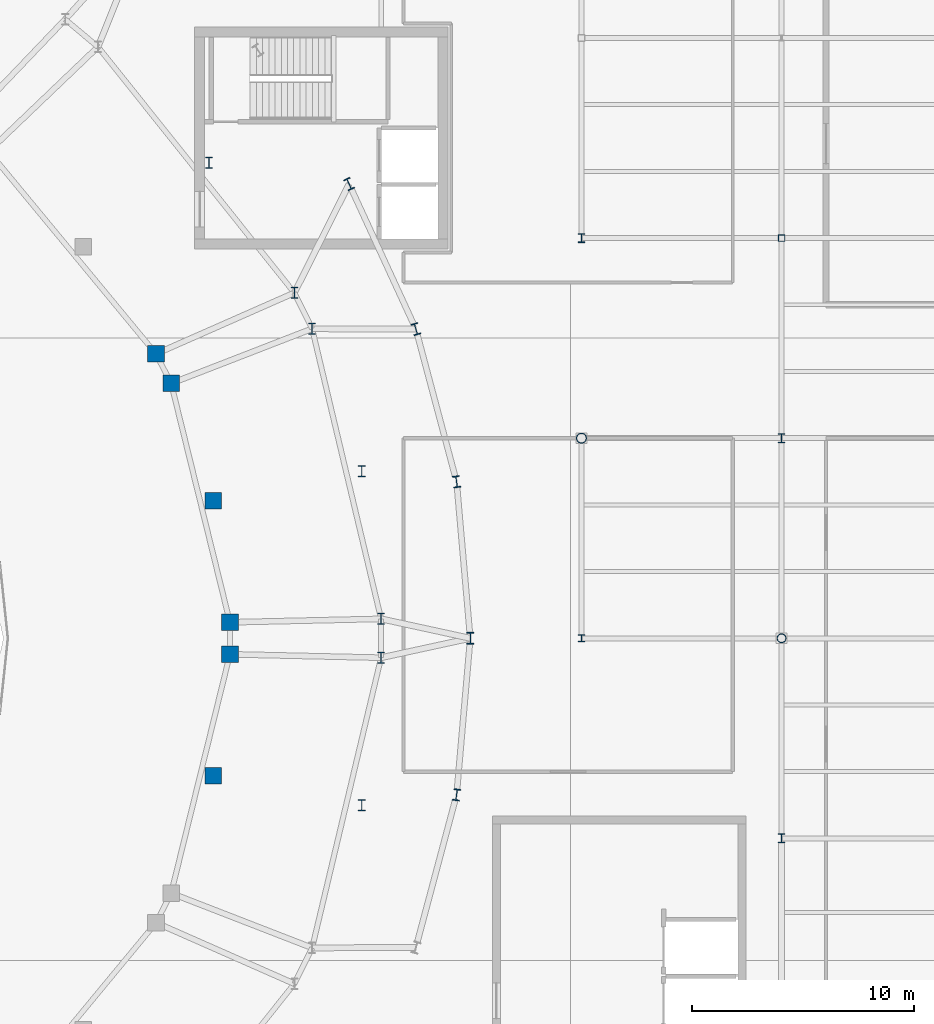
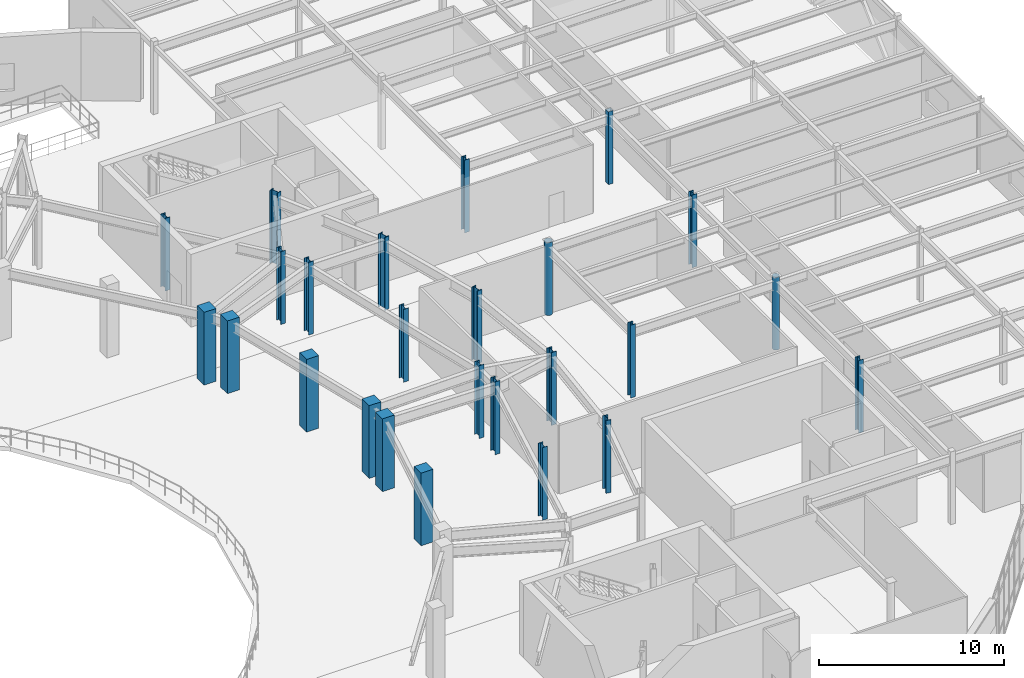
# One storey, part 19 of 86: 25 columns.
"""IFC4 building model written with IfcOpenShell, lengths in metres."""

from ifc_helpers import new_model, si_unit, direction, frame, origin, origin_2d, place, context, subcontext, project, spatial, rectangle, hollow_rectangle, hollow_circle, i_section, extrude, material, material_profile, profile_set, type_object, element, save


model = new_model("IFC4")

# Units and contexts
model_context = context("Model", 3, precision=1e-05, world=origin(), true_north=direction((0.0, 1.0)))
body_context = subcontext(model_context, "Body", "Model", "MODEL_VIEW")
ifc_project = project(units=[si_unit("LENGTHUNIT", "METRE"), si_unit("AREAUNIT", "SQUARE_METRE"), si_unit("VOLUMEUNIT", "CUBIC_METRE"), si_unit("PLANEANGLEUNIT", "RADIAN"), si_unit("MASSUNIT", "GRAM", prefix="KILO")], contexts=[model_context])

# Site, building, storey
site_placement = place(None, origin())
site = spatial("IfcSite", under=ifc_project, at=site_placement, CompositionType="ELEMENT")
building_placement = place(site_placement, origin())
building = spatial("IfcBuilding", under=site, at=building_placement, Name="Glasvene Arena", CompositionType="ELEMENT")
storey_placement = place(building_placement, frame((0.0, 0.0, 5.39990234375)))
storey = spatial("IfcBuildingStorey", under=building, at=storey_placement, Name="L01", CompositionType="ELEMENT", Elevation=5.39990234375)

# Columns
ifc_material_1 = material(Name="Concrete C40/50", Category="concrete")
ifc_material_profile_1 = material_profile(ifc_material_1, rectangle(XDim=0.75, YDim=0.75, at=origin_2d()), Name="RC 750x750")
ifc_profile_set_1 = profile_set([ifc_material_profile_1], Name="Concrete C40/50")
column_type_1 = type_object("IfcColumnType", Name="COL-MID-RC750", PredefinedType="COLUMN", material=ifc_profile_set_1)
for number, where, z_axis, x_axis, name in (
    (1, (131.18994140625, 73.71923828125, 0.0), (0.0, 0.0, 1.0), (1.0, 0.0, 0.0), "Mid-bowl fulcrum column L01 01-1"),
    (2, (128.547119140625, 84.46337890625, 0.0), (0.0, 0.0, 1.0), (1.0, 0.0, 0.0), "Mid-bowl fulcrum column L01 01-2"),
    (3, (127.866455078125, 85.79248046875, 0.0), (0.0, 0.0, 1.0), (1.0, 0.0, 0.0), "Mid-bowl fulcrum column L01 02-1"),
    (4, (131.18994140625, 72.28076171875, 0.0), (0.0, 0.0, 1.0), (1.0, 0.0, 0.0), "Mid-bowl fulcrum column L01 16-2"),
    (5, (130.44677734375, 79.184326171875, 0.0), (0.0, 0.0, 1.0), (1.0, 0.0, 0.0), "Mid-sector fulcrum column L01 01"),
    (6, (130.44677734375, 66.815673828125, 0.0), (0.0, 0.0, 1.0), (1.0, 0.0, 0.0), "Mid-sector fulcrum column L01 16"),
):
    element("IfcColumn", number, at=place(storey_placement, frame(where, z_axis=z_axis, x_axis=x_axis)), inside=storey, type_object=column_type_1, Name=name, PredefinedType="COLUMN", context=body_context, shape_type="SweptSolid", body=[
        extrude(rectangle(XDim=0.75, YDim=0.75, at=origin_2d()), origin(), (0.0, 0.0, 1.0), 4.800048828125),
    ])
ifc_material_2 = material(Name="Steel S355J2", Category="steel")
ifc_material_profile_2 = material_profile(ifc_material_2, i_section(OverallWidth=0.305908203125, OverallDepth=0.52392578125, WebThickness=0.02099609375, FlangeThickness=0.0400390625, FilletRadius=0.027099609375, at=origin_2d()), Name="HEM 500")
ifc_profile_set_2 = profile_set([ifc_material_profile_2], Name="Steel S355J2")
column_type_2 = type_object("IfcColumnType", Name="COL-RING-HEM500", PredefinedType="COLUMN", material=ifc_profile_set_2)
for number, where, z_axis, x_axis, name in (
    (7, (142.0, 73.0, 0.0), (0.0, 0.0, 1.0), (1.0, 0.0, 0.0), "Bowl ring column R01 L01"),
    (8, (141.384521484375, 80.03955078125, 0.0), (0.0, 0.0, 1.0), (0.989999050734, 0.141074021516, 0.0), "Bowl ring column R02 L01"),
    (9, (139.552734375, 86.90576171875, 0.0), (0.0, 0.0, 1.0), (0.959805291975, 0.280666708921, 0.0), "Bowl ring column R03 L01"),
    (10, (136.55029296875, 93.4296875, 0.0), (0.0, 0.0, 1.0), (0.909018020308, 0.416756810089, 0.0), "Bowl ring column R04 L01"),
    (11, (141.384521484375, 65.96044921875, 0.0), (0.0, 0.0, 1.0), (0.989999050734, -0.141074021516, 0.0), "Bowl ring column R40 L01"),
):
    element("IfcColumn", number, at=place(storey_placement, frame(where, z_axis=z_axis, x_axis=x_axis)), inside=storey, type_object=column_type_2, Name=name, PredefinedType="COLUMN", context=body_context, shape_type="SweptSolid", body=[
        extrude(i_section(OverallWidth=0.305908203125, OverallDepth=0.52392578125, WebThickness=0.02099609375, FlangeThickness=0.0400390625, FilletRadius=0.027099609375, at=origin_2d()), origin(), (0.0, 0.0, 1.0), 4.800048828125),
    ])
ifc_material_profile_3 = material_profile(ifc_material_2, hollow_circle(Radius=0.203125, WallThickness=0.01611328125, at=origin_2d()), Name="CHS 406.4x16.0")
ifc_profile_set_3 = profile_set([ifc_material_profile_3], Name="Steel S355J2")
column_type_3 = type_object("IfcColumnType", Name="COL-W-CHS406", PredefinedType="COLUMN", material=ifc_profile_set_3)
column_1_placement = place(storey_placement, frame((156.0, 73.0, 0.0), z_axis=(0.0, 0.0, 1.0), x_axis=(1.0, 0.0, 0.0)))
element("IfcColumn", 12, at=column_1_placement, inside=storey, type_object=column_type_3, Name="Grid column 18-9 L01", PredefinedType="COLUMN", context=body_context, shape_type="SweptSolid", body=[
    extrude(hollow_circle(Radius=0.203125, WallThickness=0.01611328125, at=origin_2d()), origin(), (0.0, 0.0, 1.0), 4.800048828125),
])
ifc_material_profile_4 = material_profile(ifc_material_2, hollow_circle(Radius=0.228515625, WallThickness=0.02001953125, at=origin_2d()), Name="CHS 457.0x20.0")
ifc_profile_set_4 = profile_set([ifc_material_profile_4], Name="Steel S355J2")
column_type_4 = type_object("IfcColumnType", Name="COL-W-CHS457", PredefinedType="COLUMN", material=ifc_profile_set_4)
column_2_placement = place(storey_placement, frame((147.0, 82.0, 0.0), z_axis=(0.0, 0.0, 1.0), x_axis=(1.0, 0.0, 0.0)))
element("IfcColumn", 13, at=column_2_placement, inside=storey, type_object=column_type_4, Name="Grid column 17-10 L01", PredefinedType="COLUMN", context=body_context, shape_type="SweptSolid", body=[
    extrude(hollow_circle(Radius=0.228515625, WallThickness=0.02001953125, at=origin_2d()), origin(), (0.0, 0.0, 1.0), 4.800048828125),
])
ifc_material_profile_5 = material_profile(ifc_material_2, i_section(OverallWidth=0.300048828125, OverallDepth=0.39990234375, WebThickness=0.013427734375, FlangeThickness=0.02392578125, FilletRadius=0.027099609375, at=origin_2d()), Name="HEB 400")
ifc_profile_set_5 = profile_set([ifc_material_profile_5], Name="Steel S355J2")
column_type_5 = type_object("IfcColumnType", Name="COL-W-HEB400", PredefinedType="COLUMN", material=ifc_profile_set_5)
for number, where, z_axis, x_axis, name in (
    (14, (147.0, 91.0, 0.0), (0.0, 0.0, 1.0), (1.0, 0.0, 0.0), "Grid column 17-11 L01"),
    (15, (156.0, 64.0, 0.0), (0.0, 0.0, 1.0), (1.0, 0.0, 0.0), "Grid column 18-8 L01"),
    (16, (156.0, 82.0, 0.0), (0.0, 0.0, 1.0), (1.0, 0.0, 0.0), "Grid column 18-10 L01"),
):
    element("IfcColumn", number, at=place(storey_placement, frame(where, z_axis=z_axis, x_axis=x_axis)), inside=storey, type_object=column_type_5, Name=name, PredefinedType="COLUMN", context=body_context, shape_type="SweptSolid", body=[
        extrude(i_section(OverallWidth=0.300048828125, OverallDepth=0.39990234375, WebThickness=0.013427734375, FlangeThickness=0.02392578125, FilletRadius=0.027099609375, at=origin_2d()), origin(), (0.0, 0.0, 1.0), 4.800048828125),
    ])
ifc_material_profile_6 = material_profile(ifc_material_2, i_section(OverallWidth=0.300048828125, OverallDepth=0.5, WebThickness=0.014404296875, FlangeThickness=0.028076171875, FilletRadius=0.027099609375, at=origin_2d()), Name="HEB 500")
ifc_profile_set_6 = profile_set([ifc_material_profile_6], Name="Steel S355J2")
column_type_6 = type_object("IfcColumnType", Name="COL-W-HEB500", PredefinedType="COLUMN", material=ifc_profile_set_6)
for number, where, z_axis, x_axis, name in (
    (17, (137.98828125, 73.87353515625, 0.0), (0.0, 0.0, 1.0), (1.0, 0.0, 0.0), "Upper raker rear column L01 01-1"),
    (18, (134.886962890625, 86.922607421875, 0.0), (0.0, 0.0, 1.0), (1.0, 0.0, 0.0), "Upper raker rear column L01 01-2"),
    (19, (134.088134765625, 88.53662109375, 0.0), (0.0, 0.0, 1.0), (1.0, 0.0, 0.0), "Upper raker rear column L01 02-1"),
    (20, (137.98828125, 72.12646484375, 0.0), (0.0, 0.0, 1.0), (1.0, 0.0, 0.0), "Upper raker rear column L01 16-2"),
    (21, (137.1162109375, 80.510986328125, 0.0), (0.0, 0.0, 1.0), (1.0, 0.0, 0.0), "Mid-sector rear raker column L01 01"),
    (22, (130.24755859375, 94.389404296875, 0.0), (0.0, 0.0, 1.0), (1.0, 0.0, 0.0), "Mid-sector rear raker column L01 02"),
    (23, (137.1162109375, 65.489013671875, 0.0), (0.0, 0.0, 1.0), (1.0, 0.0, 0.0), "Mid-sector rear raker column L01 16"),
):
    element("IfcColumn", number, at=place(storey_placement, frame(where, z_axis=z_axis, x_axis=x_axis)), inside=storey, type_object=column_type_6, Name=name, PredefinedType="COLUMN", context=body_context, shape_type="SweptSolid", body=[
        extrude(i_section(OverallWidth=0.300048828125, OverallDepth=0.5, WebThickness=0.014404296875, FlangeThickness=0.028076171875, FilletRadius=0.027099609375, at=origin_2d()), origin(), (0.0, 0.0, 1.0), 4.800048828125),
    ])
ifc_material_profile_7 = material_profile(ifc_material_2, hollow_rectangle(XDim=0.300048828125, YDim=0.300048828125, WallThickness=0.012451171875, at=origin_2d()), Name="SHS 300x300x12.5")
ifc_profile_set_7 = profile_set([ifc_material_profile_7], Name="Steel S355J2")
column_type_7 = type_object("IfcColumnType", Name="COL-W-SHS300", PredefinedType="COLUMN", material=ifc_profile_set_7)
column_3_placement = place(storey_placement, frame((156.0, 91.0, 0.0), z_axis=(0.0, 0.0, 1.0), x_axis=(1.0, 0.0, 0.0)))
element("IfcColumn", 24, at=column_3_placement, inside=storey, type_object=column_type_7, Name="Grid column 18-11 L01", PredefinedType="COLUMN", context=body_context, shape_type="SweptSolid", body=[
    extrude(hollow_rectangle(XDim=0.300048828125, YDim=0.300048828125, WallThickness=0.012451171875, at=origin_2d()), origin(), (0.0, 0.0, 1.0), 4.800048828125),
])
ifc_material_profile_8 = material_profile(ifc_material_2, i_section(OverallWidth=0.30908203125, OverallDepth=0.320556640625, WebThickness=0.013916015625, FlangeThickness=0.021728515625, FilletRadius=0.01513671875, at=origin_2d()), Name="UKC 305x305x137")
ifc_profile_set_8 = profile_set([ifc_material_profile_8], Name="Steel S355J2")
column_type_8 = type_object("IfcColumnType", Name="COL-W-UKC137", PredefinedType="COLUMN", material=ifc_profile_set_8)
column_4_placement = place(storey_placement, frame((147.0, 73.0, 0.0), z_axis=(0.0, 0.0, 1.0), x_axis=(1.0, 0.0, 0.0)))
element("IfcColumn", 25, at=column_4_placement, inside=storey, type_object=column_type_8, Name="Grid column 17-9 L01", PredefinedType="COLUMN", context=body_context, shape_type="SweptSolid", body=[
    extrude(i_section(OverallWidth=0.30908203125, OverallDepth=0.320556640625, WebThickness=0.013916015625, FlangeThickness=0.021728515625, FilletRadius=0.01513671875, at=origin_2d()), origin(), (0.0, 0.0, 1.0), 4.800048828125),
])

save(model, "model.ifc")
